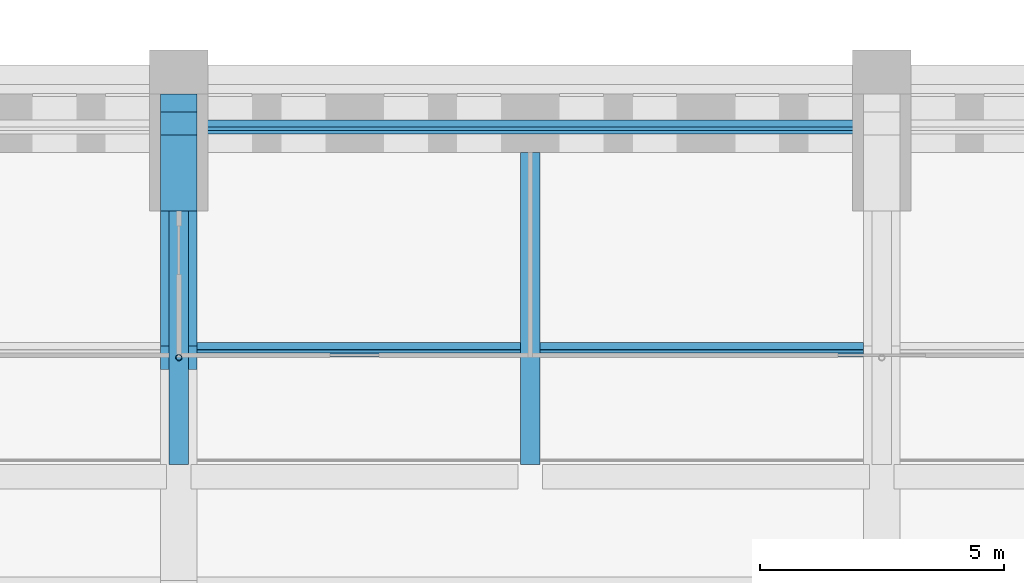
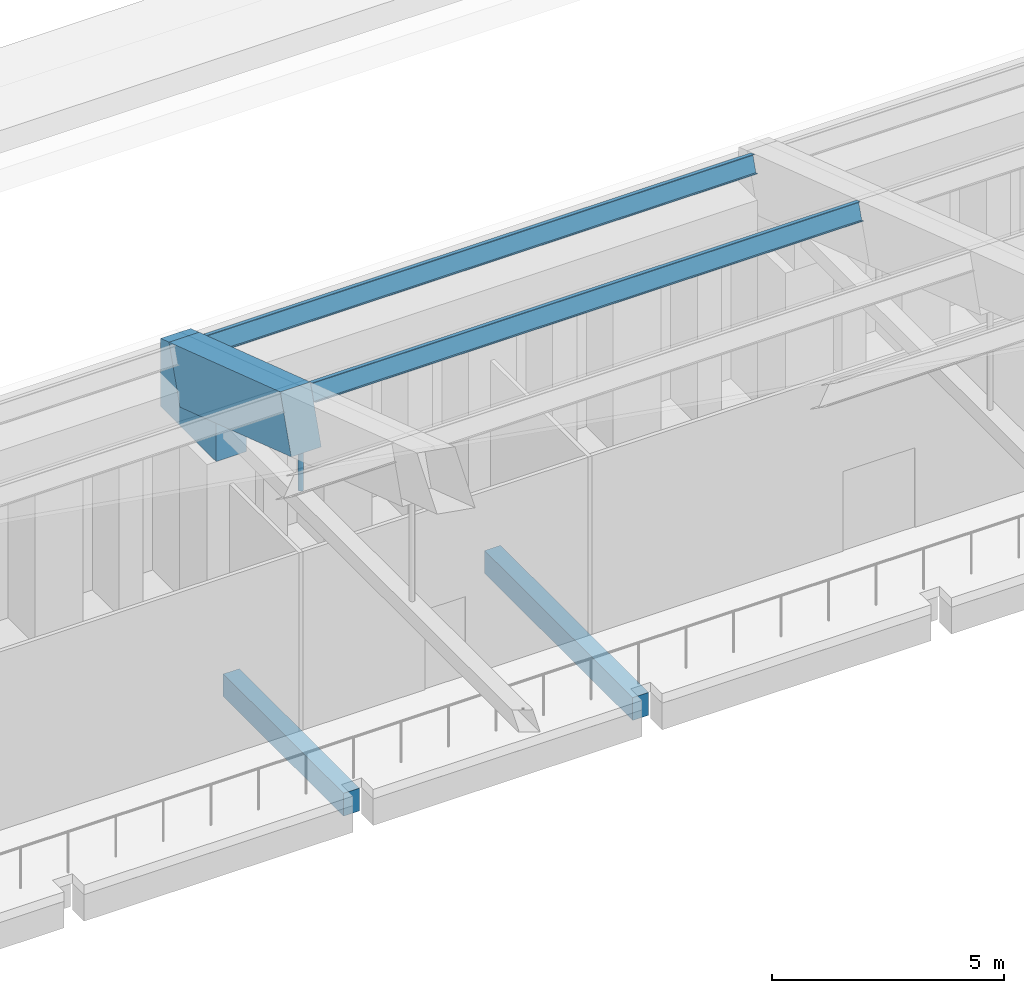
# One storey, part 86 of 149: 4 members, 3 beams.
"""IFC4 building model written with IfcOpenShell, lengths in metres."""

import ifcopenshell
import ifcopenshell.guid

model = None  # the IFC model being written
_history = None  # IfcOwnerHistory: only IFC2X3 demands one
_inside = {}  # id of a spatial element -> (the spatial element, [elements in it])
_under = {}  # id of a project, library or spatial element -> (it, [spatial elements below it])
_declared = {}  # id of a project -> (the project, [libraries it declares])
_typed = {}  # id of a type object -> (the type object, [elements of that type])
_made_of = {}  # id of a material, layer set ... -> (it, [elements and type objects made of it])


def new_model(schema):
    """Start an empty IFC model of exactly this schema.

    Asked for "IFC4X3", IfcOpenShell would pick the latest addendum, in which some entities
    have other attributes; the version numbers below select the first issue.
    IFC2X3 requires an IfcOwnerHistory on every rooted entity: one is made here for all.
    """
    global model, _history
    if schema == "IFC4X3":
        model = ifcopenshell.file(schema_version=(4, 3, 0, 0))
    else:
        model = ifcopenshell.file(schema=schema)
    _inside.clear()
    _under.clear()
    _declared.clear()
    _typed.clear()
    _made_of.clear()
    _history = None
    if model.schema == "IFC2X3":
        org = make("IfcOrganization", Name="unknown")
        user = make(
            "IfcPersonAndOrganization",
            ThePerson=make("IfcPerson", FamilyName="unknown"),
            TheOrganization=org,
        )
        app = make(
            "IfcApplication",
            ApplicationDeveloper=org,
            Version="unknown",
            ApplicationFullName="unknown",
            ApplicationIdentifier="unknown",
        )
        _history = make(
            "IfcOwnerHistory",
            OwningUser=user,
            OwningApplication=app,
            ChangeAction="ADDED",
            CreationDate=0,
        )
    return model


def make(cls, **values):
    """One entity of the class cls with the attributes given. An attribute that is None is left unset."""
    return model.create_entity(
        cls, **{name: value for name, value in values.items() if value is not None}
    )


def rooted(cls, **values):
    """An entity with a GlobalId (a new one), such as an element, a storey or a relation."""
    return make(cls, GlobalId=ifcopenshell.guid.new(), OwnerHistory=_history, **values)


def si_unit(unit_type, name, prefix=None):
    """IfcSIUnit, for example si_unit("LENGTHUNIT", "METRE", prefix="MILLI")."""
    return make("IfcSIUnit", UnitType=unit_type, Prefix=prefix, Name=name)


def assignment(units):
    """IfcUnitAssignment: the units of a project."""
    return None if units is None else make("IfcUnitAssignment", Units=units)


def point(xyz):
    """IfcCartesianPoint."""
    return None if xyz is None else make("IfcCartesianPoint", Coordinates=xyz)


def direction(xyz):
    """IfcDirection."""
    return None if xyz is None else make("IfcDirection", DirectionRatios=xyz)


def frame(location, z_axis=None, x_axis=None):
    """IfcAxis2Placement3D, a coordinate frame: its origin and axes. An axis left out is left unset."""
    return make(
        "IfcAxis2Placement3D",
        Location=point(location),
        Axis=direction(z_axis),
        RefDirection=direction(x_axis),
    )


def frame_2d(location, x_axis=None):
    """IfcAxis2Placement2D, a coordinate frame in the plane: its origin and x axis."""
    return make(
        "IfcAxis2Placement2D", Location=point(location), RefDirection=direction(x_axis)
    )


def origin():
    """The frame at (0, 0, 0) with its axes left unset."""
    return frame((0.0, 0.0, 0.0))


def origin_2d():
    """The frame at (0, 0) in the plane with its x axis left unset."""
    return frame_2d((0.0, 0.0))


def place(relative_to, where):
    """IfcLocalPlacement: puts the frame where relative to a parent placement (None: the world)."""
    return make(
        "IfcLocalPlacement", PlacementRelTo=relative_to, RelativePlacement=where
    )


def context(
    kind, dimensions, precision=None, world=None, true_north=None, identifier=None
):
    """IfcGeometricRepresentationContext, for example the 3D "Model" context."""
    return make(
        "IfcGeometricRepresentationContext",
        ContextIdentifier=identifier,
        ContextType=kind,
        CoordinateSpaceDimension=dimensions,
        Precision=precision,
        WorldCoordinateSystem=world,
        TrueNorth=true_north,
    )


def subcontext(parent, identifier, kind, view, scale=None):
    """IfcGeometricRepresentationSubContext, for example "Body" below "Model"."""
    return make(
        "IfcGeometricRepresentationSubContext",
        ContextIdentifier=identifier,
        ContextType=kind,
        ParentContext=parent,
        TargetScale=scale,
        TargetView=view,
    )


def project(units=None, contexts=None):
    """IfcProject with its units and contexts."""
    return rooted(
        "IfcProject",
        Name="project",
        RepresentationContexts=contexts,
        UnitsInContext=assignment(units),
    )


def spatial(cls, under=None, at=None, **own):
    """A site, building, storey or space (cls), placed at a placement, below another one or the project."""
    s = rooted(cls, ObjectPlacement=at, **own)
    if under is not None:
        _under.setdefault(under.id(), (under, []))[1].append(s)
    return s


def polyline(points):
    """IfcPolyline through the points."""
    return make("IfcPolyline", Points=[point(p) for p in points])


def profile(cls, at=None, kind="AREA", **sizes):
    """A parametric profile (cls). Its sizes go by their IFC names, for example OverallWidth=200.0."""
    return make(cls, ProfileType=kind, Position=at, **sizes)


def rectangle(**sizes):
    """IfcRectangleProfileDef."""
    return profile("IfcRectangleProfileDef", **sizes)


def hollow_circle(**sizes):
    """IfcCircleHollowProfileDef."""
    return profile("IfcCircleHollowProfileDef", **sizes)


def i_section(**sizes):
    """IfcIShapeProfileDef."""
    return profile("IfcIShapeProfileDef", **sizes)


def outline(outer, holes=None, kind="AREA"):
    """IfcArbitraryClosedProfileDef: a profile drawn as a closed curve; with holes, ...WithVoids."""
    if holes is None:
        return make("IfcArbitraryClosedProfileDef", ProfileType=kind, OuterCurve=outer)
    return make(
        "IfcArbitraryProfileDefWithVoids",
        ProfileType=kind,
        OuterCurve=outer,
        InnerCurves=holes,
    )


def extrude(swept, where, along, depth):
    """IfcExtrudedAreaSolid: the profile swept, set in the frame where, extruded along a direction by depth."""
    return make(
        "IfcExtrudedAreaSolid",
        SweptArea=swept,
        Position=where,
        ExtrudedDirection=direction(along),
        Depth=depth,
    )


def shape(context_of_items, identifier, shape_type, items):
    """IfcShapeRepresentation: the items that make up one representation, for example the "Body"."""
    return make(
        "IfcShapeRepresentation",
        ContextOfItems=context_of_items,
        RepresentationIdentifier=identifier,
        RepresentationType=shape_type,
        Items=items,
    )


def material(Name=None, Category=None):
    """IfcMaterial."""
    return make("IfcMaterial", Name=Name, Category=Category)


def material_profile(
    of_material, cross_section, Name=None, Category=None, Priority=None
):
    """IfcMaterialProfile: a cross section and its material."""
    return make(
        "IfcMaterialProfile",
        Name=Name,
        Material=of_material,
        Profile=cross_section,
        Priority=Priority,
        Category=Category,
    )


def profile_set(profiles, Name=None, composite=None):
    """IfcMaterialProfileSet."""
    return make(
        "IfcMaterialProfileSet",
        Name=Name,
        MaterialProfiles=profiles,
        CompositeProfile=composite,
    )


def made_of(thing, what):
    """Note that an element or type object is made of a material, layer set ...; save() writes the relation."""
    if what is not None:
        _made_of.setdefault(what.id(), (what, []))[1].append(thing)
    return thing


def type_object(cls, material=None, **own):
    """A type object (cls), such as IfcWallType, which elements share."""
    return made_of(rooted(cls, **own), material)


def element(
    cls,
    number,
    at=None,
    inside=None,
    cuts=None,
    type_object=None,
    material=None,
    context=None,
    identifier="Body",
    shape_type=None,
    held_by="IfcProductDefinitionShape",
    body=None,
    shapes=None,
    **own,
):
    """One element of the class cls, such as IfcWall. Its Tag is "e" and its number.

    at: its placement. inside: the storey or other place that contains it. cuts: it is an
    opening in that element (IfcRelVoidsElement). A single representation is given by context,
    identifier, shape_type and body (its items); several are given by shapes. held_by: the class
    of the entity that holds the representations. save() writes the other relations.
    """
    e = rooted(cls, Tag="e%d" % number, ObjectPlacement=at, **own)
    if body is not None:
        shapes = [shape(context, identifier, shape_type, body)]
    if shapes is not None:
        e.Representation = make(held_by, Representations=shapes)
    if inside is not None:
        _inside.setdefault(inside.id(), (inside, []))[1].append(e)
    if cuts is not None:
        rooted(
            "IfcRelVoidsElement", RelatingBuildingElement=cuts, RelatedOpeningElement=e
        )
    if type_object is not None:
        _typed.setdefault(type_object.id(), (type_object, []))[1].append(e)
    return made_of(e, material)


def aggregate(whole, parts):
    """IfcRelAggregates: a whole, such as a stair, and the parts it consists of."""
    return rooted("IfcRelAggregates", RelatingObject=whole, RelatedObjects=parts)


def save(model, path):
    """Write the relations noted so far, then the file.

    IfcRelAggregates (storeys below a building ...), IfcRelContainedInSpatialStructure (elements
    in a storey), IfcRelDefinesByType, IfcRelAssociatesMaterial and IfcRelDeclares: one each for
    every whole, place, type object, material and project.
    """
    for whole, parts in _under.values():
        aggregate(whole, parts)
    for where, things in _inside.values():
        rooted(
            "IfcRelContainedInSpatialStructure",
            RelatedElements=things,
            RelatingStructure=where,
        )
    for kind, things in _typed.values():
        rooted("IfcRelDefinesByType", RelatedObjects=things, RelatingType=kind)
    for what, things in _made_of.values():
        rooted("IfcRelAssociatesMaterial", RelatedObjects=things, RelatingMaterial=what)
    for by, libraries in _declared.values():
        rooted("IfcRelDeclares", RelatingContext=by, RelatedDefinitions=libraries)
    model.write(path)


model = new_model("IFC4")

# Units and contexts
model_context = context("Model", 3, precision=1e-05, world=origin(), true_north=direction((0.0, 1.0)))
body_context = subcontext(model_context, "Body", "Model", "MODEL_VIEW")
ifc_project = project(units=[si_unit("LENGTHUNIT", "METRE"), si_unit("AREAUNIT", "SQUARE_METRE"), si_unit("VOLUMEUNIT", "CUBIC_METRE"), si_unit("PLANEANGLEUNIT", "RADIAN"), si_unit("MASSUNIT", "GRAM", prefix="KILO")], contexts=[model_context])

# Site, building, storey
site_placement = place(None, origin())
site = spatial("IfcSite", under=ifc_project, at=site_placement, CompositionType="ELEMENT")
building_placement = place(site_placement, origin())
building = spatial("IfcBuilding", under=site, at=building_placement, Name="Alderwick Market Hall", CompositionType="ELEMENT")
storey_placement = place(building_placement, frame((0.0, 0.0, 9.60009765625)))
storey = spatial("IfcBuildingStorey", under=building, at=storey_placement, Name="L01", CompositionType="ELEMENT", Elevation=9.60009765625)

# Beams
ifc_material_1 = material(Name="Concrete 5000 psi (f'c 35 MPa)", Category="concrete")
ifc_material_profile_1 = material_profile(ifc_material_1, rectangle(XDim=0.39990234375, YDim=0.60009765625, at=origin_2d()), Name="RC 400x600")
ifc_profile_set_1 = profile_set([ifc_material_profile_1], Name="Concrete 5000 psi (f'c 35 MPa)")
beam_type_1 = type_object("IfcBeamType", Name="H Gallery beam 400x600", PredefinedType="BEAM", material=ifc_profile_set_1)
beam_1_placement = place(storey_placement, frame((93.60009765625, 106.199951171875, -0.550048828125), z_axis=(0.0, -1.0, 0.0), x_axis=(1.0, 0.0, 0.0)))
element("IfcBeam", 1, at=beam_1_placement, inside=storey, type_object=beam_type_1, Name="Gallery beam N", PredefinedType="BEAM", context=body_context, shape_type="SweptSolid", body=[
    extrude(rectangle(XDim=0.39990234375, YDim=0.60009765625, at=origin_2d()), origin(), (0.0, 0.0, 1.0), 5.18994140625),
])
beam_2_placement = place(storey_placement, frame((100.800048828125, 107.39990234375, -0.550048828125), z_axis=(0.0, -1.0, 0.0), x_axis=(1.0, 0.0, 0.0)))
element("IfcBeam", 2, at=beam_2_placement, inside=storey, type_object=beam_type_1, Name="Gallery beam N", PredefinedType="BEAM", context=body_context, shape_type="SweptSolid", body=[
    extrude(rectangle(XDim=0.39990234375, YDim=0.60009765625, at=origin_2d()), origin(), (0.0, 0.0, 1.0), 6.389892578125),
])
ifc_material_profile_2 = material_profile(ifc_material_1, rectangle(XDim=0.75, YDim=1.5, at=origin_2d()), Name="RC 750x1500")
ifc_profile_set_2 = profile_set([ifc_material_profile_2], Name="Concrete 5000 psi (f'c 35 MPa)")
beam_type_2 = type_object("IfcBeamType", Name="R Arch Rib Springing 750x1500", PredefinedType="BEAM", material=ifc_profile_set_2)
beam_3_placement = place(storey_placement, frame((93.60009765625, 103.199951171875, 8.199951171875), z_axis=(0.0, 0.948678472761, -0.316242241517), x_axis=(-1.0, 0.0, 0.0)))
element("IfcBeam", 3, at=beam_3_placement, inside=storey, type_object=beam_type_2, Name="Arch rib 4 chord 12", PredefinedType="BEAM", context=body_context, shape_type="SweptSolid", body=[
    extrude(rectangle(XDim=0.75, YDim=1.5, at=origin_2d()), origin(), (0.0, 0.0, 1.0), 5.059814453125),
])

# Members
ifc_material_2 = material(Name="Steel ASTM A500 Grade C", Category="steel")
ifc_material_profile_3 = material_profile(ifc_material_2, hollow_circle(Radius=0.0634765625, WallThickness=0.005859375, at=origin_2d()), Name="HSS5.000x0.250")
ifc_profile_set_3 = profile_set([ifc_material_profile_3], Name="Steel ASTM A500 Grade C")
member_type_1 = type_object("IfcMemberType", Name="R Hanger HSS5.000x0.250", PredefinedType="POST", material=ifc_profile_set_3)
member_1_placement = place(storey_placement, frame((93.60009765625, 103.199951171875, 6.35302734375), z_axis=(0.0, 0.0, 1.0), x_axis=(1.0, 0.0, 0.0)))
element("IfcMember", 4, at=member_1_placement, inside=storey, type_object=member_type_1, Name="Arch hanger 4.11", PredefinedType="POST", context=body_context, shape_type="SweptSolid", body=[
    extrude(hollow_circle(Radius=0.0634765625, WallThickness=0.005859375, at=origin_2d()), origin(), (0.0, 0.0, 1.0), 1.03515625),
])
ifc_material_3 = material(Name="Steel ASTM A992 Grade 50", Category="steel")
ifc_material_profile_4 = material_profile(ifc_material_3, i_section(OverallWidth=0.153076171875, OverallDepth=0.455078125, WebThickness=0.008056640625, FlangeThickness=0.01318359375, at=origin_2d()), Name="W18x40")
ifc_profile_set_4 = profile_set([ifc_material_profile_4], Name="Steel ASTM A992 Grade 50")
member_type_2 = type_object("IfcMemberType", Name="R Purlin W18x40", PredefinedType="PURLIN", material=ifc_profile_set_4)
for number, where, z_axis, x_axis, name in (
    (5, (93.97509765625, 103.36328125, 8.68994140625), (1.0, 0.0, 0.0), (0.0, 0.948683297073, -0.316227768949), "Roof purlin 12.4"),
    (6, (93.97509765625, 107.92626953125, 7.1689453125), (1.0, 0.0, 0.0), (0.0, 0.948683297073, -0.316227768949), "Roof purlin 13.4"),
):
    element("IfcMember", number, at=place(storey_placement, frame(where, z_axis=z_axis, x_axis=x_axis)), inside=storey, type_object=member_type_2, Name=name, PredefinedType="PURLIN", context=body_context, shape_type="SweptSolid", body=[
        extrude(i_section(OverallWidth=0.153076171875, OverallDepth=0.455078125, WebThickness=0.008056640625, FlangeThickness=0.01318359375, at=origin_2d()), origin(), (0.0, 0.0, 1.0), 13.64990234375),
    ])
ifc_material_profile_5 = material_profile(ifc_material_1, outline(polyline([(0.0, 0.0), (-2.39990234375, 0.0), (-2.39990234375, 1.009521484375), (-0.837158203125, 0.488525390625), (-0.36279296875, 1.91162109375), (0.0, 1.79052734375), (0.0, 0.0)])), Name="RC skewback N")
ifc_profile_set_5 = profile_set([ifc_material_profile_5], Name="Concrete 5000 psi (f'c 35 MPa)")
member_type_3 = type_object("IfcMemberType", Name="R Springing Skewback North", PredefinedType="MEMBER", material=ifc_profile_set_5)
member_2_placement = place(storey_placement, frame((93.22509765625, 108.60009765625, 5.39990234375), z_axis=(1.0, 0.0, 0.0), x_axis=(0.0, 1.0, 0.0)))
element("IfcMember", 7, at=member_2_placement, inside=storey, type_object=member_type_3, Name="Springing skewback N4", PredefinedType="MEMBER", context=body_context, shape_type="SweptSolid", body=[
    extrude(outline(polyline([(0.0, 0.0), (-2.39990234375, 0.0), (-2.39990234375, 1.009521484375), (-0.837158203125, 0.488525390625), (-0.36279296875, 1.91162109375), (0.0, 1.79052734375), (0.0, 0.0)])), origin(), (0.0, 0.0, 1.0), 0.75),
])

save(model, "model.ifc")
